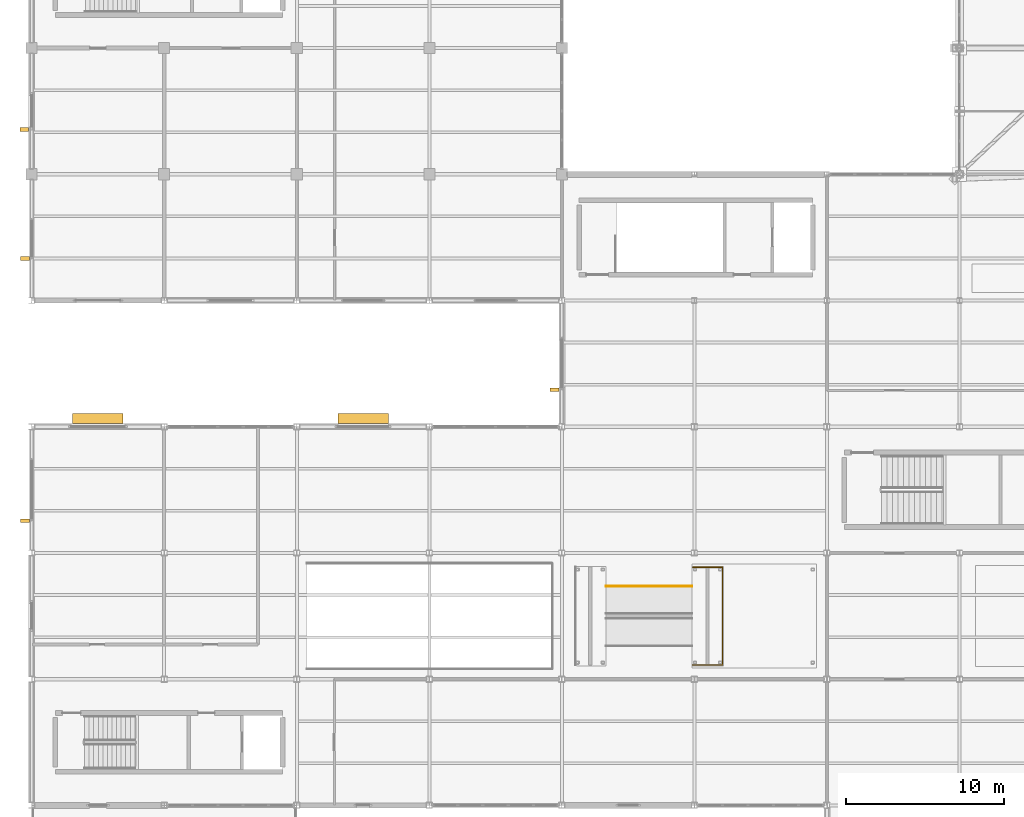
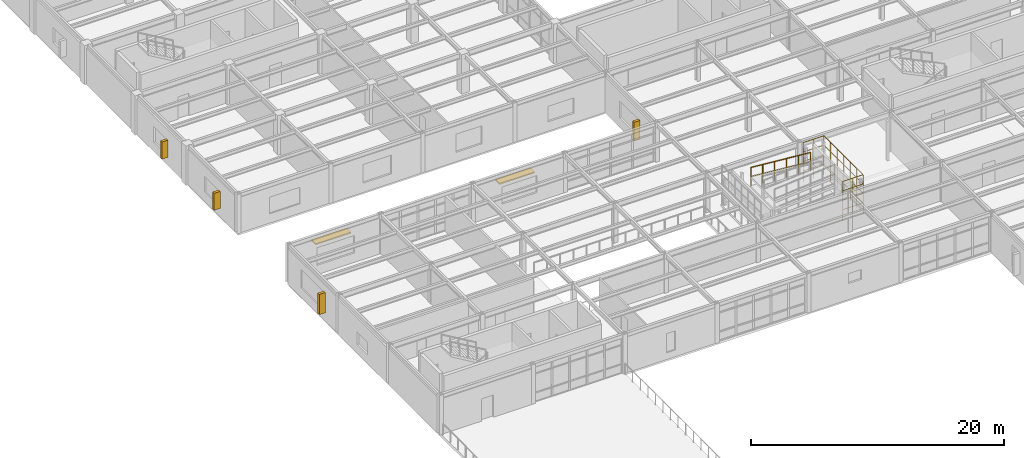
# One storey, part 130 of 138: 6 railings, 6 shading devices.
"""IFC4 building model written with IfcOpenShell, lengths in metres."""

from ifc_helpers import new_model, si_unit, direction, frame, origin, origin_2d, place, context, subcontext, project, spatial, rectangle, circle, extrude, material, type_object, element, save


model = new_model("IFC4")

# Units and contexts
model_context = context("Model", 3, precision=1e-05, world=origin(), true_north=direction((0.0, 1.0)))
body_context = subcontext(model_context, "Body", "Model", "MODEL_VIEW")
ifc_project = project(units=[si_unit("LENGTHUNIT", "METRE"), si_unit("AREAUNIT", "SQUARE_METRE"), si_unit("VOLUMEUNIT", "CUBIC_METRE"), si_unit("PLANEANGLEUNIT", "RADIAN"), si_unit("MASSUNIT", "GRAM", prefix="KILO")], contexts=[model_context])

# Site, building, storey
site_placement = place(None, origin())
site = spatial("IfcSite", under=ifc_project, at=site_placement, CompositionType="ELEMENT")
building_placement = place(site_placement, origin())
building = spatial("IfcBuilding", under=site, at=building_placement, Name="Kranzveld Transit Interchange", CompositionType="ELEMENT")
storey_placement = place(building_placement, frame((0.0, 0.0, 5.43994140625)))
storey = spatial("IfcBuildingStorey", under=building, at=storey_placement, Name="L01", CompositionType="ELEMENT", Elevation=5.43994140625)

# Shading devices
ifc_material_1 = material(Name="Bronze-anodised thermally broken aluminium", Category="aluminium")
shading_device_type_1 = type_object("IfcShadingDeviceType", Name="East-West Deep Clinker Solar Fin", PredefinedType="USERDEFINED", material=ifc_material_1)
shading_device_1_placement = place(storey_placement, frame((-0.425048828125, 34.0400390625, 0.8251953125), z_axis=(0.0, 0.0, 1.0), x_axis=(0.0, 1.0, 0.0)))
element("IfcShadingDevice", 1, at=shading_device_1_placement, inside=storey, type_object=shading_device_type_1, Name="L01 Vertical Solar Fin 01/E", ObjectType="SOLAR FIN", PredefinedType="USERDEFINED", context=body_context, shape_type="SweptSolid", body=[
    extrude(rectangle(XDim=0.239990234375, YDim=0.550048828125, at=origin_2d()), origin(), (0.0, 0.0, 1.0), 1.949951171875),
])
shading_device_2_placement = place(storey_placement, frame((33.135009765625, 42.340087890625, 0.8251953125), z_axis=(0.0, 0.0, 1.0), x_axis=(0.0, 1.0, 0.0)))
element("IfcShadingDevice", 2, at=shading_device_2_placement, inside=storey, type_object=shading_device_type_1, Name="L01 Vertical Solar Fin 05/F", ObjectType="SOLAR FIN", PredefinedType="USERDEFINED", context=body_context, shape_type="SweptSolid", body=[
    extrude(rectangle(XDim=0.239990234375, YDim=0.550048828125, at=origin_2d()), origin(), (0.0, 0.0, 1.0), 1.800048828125),
])
for number, where, z_axis, x_axis, name in (
    (3, (-0.425048828125, 50.65869140625, 0.8251953125), (0.0, 0.0, 1.0), (0.0, 1.0, 0.0), "L01 Vertical Solar Fin 01/G"),
    (4, (-0.465087890625, 58.840087890625, 0.8251953125), (0.0, 0.0, 1.0), (0.0, 1.0, 0.0), "L01 Vertical Solar Fin 01/H"),
):
    element("IfcShadingDevice", number, at=place(storey_placement, frame(where, z_axis=z_axis, x_axis=x_axis)), inside=storey, type_object=shading_device_type_1, Name=name, ObjectType="SOLAR FIN", PredefinedType="USERDEFINED", context=body_context, shape_type="SweptSolid", body=[
        extrude(rectangle(XDim=0.239990234375, YDim=0.550048828125, at=origin_2d()), origin(), (0.0, 0.0, 1.0), 1.64990234375),
    ])
ifc_material_2 = material(Name="Bronze-anodised thermally broken aluminium", Category="aluminium")
shading_device_type_2 = type_object("IfcShadingDeviceType", Name="North Overhang Solar Louvre Brise-Soleil", PredefinedType="JALOUSIE", material=ifc_material_2)
for number, where, z_axis, x_axis, name in (
    (5, (4.199951171875, 40.514892578125, 2.60009765625), (0.0, 0.0, 1.0), (1.0, 0.0, 0.0), "L01 North Solar Louvre 01/F"),
    (6, (21.0, 40.514892578125, 2.550048828125), (0.0, 0.0, 1.0), (1.0, 0.0, 0.0), "L01 North Solar Louvre 03/F"),
):
    element("IfcShadingDevice", number, at=place(storey_placement, frame(where, z_axis=z_axis, x_axis=x_axis)), inside=storey, type_object=shading_device_type_2, Name=name, PredefinedType="JALOUSIE", context=body_context, shape_type="SweptSolid", body=[
        extrude(rectangle(XDim=3.199951171875, YDim=0.64990234375, at=origin_2d()), origin(), (0.0, 0.0, 1.0), 0.1201171875),
    ])

# Railings
ifc_material_3 = material(Name="Steel S355JR", Category="steel")
railing_type_1 = type_object("IfcRailingType", Name="Stair & Ramp Handrail Steel 900", PredefinedType="HANDRAIL", material=ifc_material_3)
for number, where, name in (
    (7, (41.840087890625, 29.889892578125, 2.2666015625), "RMP-2 Flight 6 Rail H"),
    (8, (41.840087890625, 29.889892578125, 3.17333984375), "RMP-2 Flight 8 Rail H"),
):
    element("IfcRailing", number, at=place(storey_placement, frame(where)), inside=storey, type_object=railing_type_1, Name=name, PredefinedType="HANDRAIL", context=body_context, shape_type="SweptSolid", body=[
        extrude(circle(Radius=0.02392578125, at=origin_2d()), frame((0.0, 0.0, 0.8759765625), z_axis=(-0.996545449809, 0.0, 0.083049181003), x_axis=(0.0, -1.0, 0.0)), (0.0, 0.0, 1.0), 5.458984375),
        extrude(circle(Radius=0.02099609375, at=origin_2d()), origin(), (0.0, 0.0, 1.0), 0.849853515625),
        extrude(circle(Radius=0.02099609375, at=origin_2d()), frame((-1.088134765625, 0.0, 0.090576171875)), (0.0, 0.0, 1.0), 0.849853515625),
        extrude(circle(Radius=0.02099609375, at=origin_2d()), frame((-2.176025390625, 0.0, 0.181396484375)), (0.0, 0.0, 1.0), 0.849853515625),
        extrude(circle(Radius=0.02099609375, at=origin_2d()), frame((-3.26416015625, 0.0, 0.27197265625)), (0.0, 0.0, 1.0), 0.849853515625),
        extrude(circle(Radius=0.02099609375, at=origin_2d()), frame((-4.35205078125, 0.0, 0.36279296875)), (0.0, 0.0, 1.0), 0.849853515625),
        extrude(circle(Radius=0.02099609375, at=origin_2d()), frame((-5.440185546875, 0.0, 0.453369140625)), (0.0, 0.0, 1.0), 0.849853515625),
    ])
ifc_material_4 = material(Name="Steel S355JR", Category="steel")
railing_type_2 = type_object("IfcRailingType", Name="Stair Well Guardrail Steel 1100", PredefinedType="GUARDRAIL", material=ifc_material_4)
railing_1_placement = place(storey_placement, frame((41.89990234375, 24.89990234375, 0.453369140625)))
element("IfcRailing", 9, at=railing_1_placement, inside=storey, type_object=railing_type_2, Name="RMP-2 Landing 1 Guard", PredefinedType="GUARDRAIL", context=body_context, shape_type="SweptSolid", body=[
    extrude(circle(Radius=0.02392578125, at=origin_2d()), frame((0.0, 0.0, 1.076171875), z_axis=(1.0, 0.0, 0.0), x_axis=(0.0, 1.0, 0.0)), (0.0, 0.0, 1.0), 1.85205078125),
    extrude(circle(Radius=0.02392578125, at=origin_2d()), frame((1.880126953125, 0.028076171875, 1.076171875), z_axis=(0.0, 1.0, 0.0), x_axis=(-1.0, 0.0, 0.0)), (0.0, 0.0, 1.0), 6.14404296875),
    extrude(circle(Radius=0.02392578125, at=origin_2d()), frame((1.85205078125, 6.2001953125, 1.076171875), z_axis=(-1.0, 0.0, 0.0), x_axis=(0.0, -1.0, 0.0)), (0.0, 0.0, 1.0), 1.85205078125),
    extrude(circle(Radius=0.02099609375, at=origin_2d()), origin(), (0.0, 0.0, 1.0), 1.050048828125),
    extrude(circle(Radius=0.02099609375, at=origin_2d()), frame((0.93994140625, 0.0, 0.0)), (0.0, 0.0, 1.0), 1.050048828125),
    extrude(circle(Radius=0.02099609375, at=origin_2d()), frame((1.880126953125, 0.0, 0.0)), (0.0, 0.0, 1.0), 1.050048828125),
    extrude(circle(Radius=0.02099609375, at=origin_2d()), frame((1.880126953125, 1.033447265625, 0.0)), (0.0, 0.0, 1.0), 1.050048828125),
    extrude(circle(Radius=0.02099609375, at=origin_2d()), frame((1.880126953125, 2.066650390625, 0.0)), (0.0, 0.0, 1.0), 1.050048828125),
    extrude(circle(Radius=0.02099609375, at=origin_2d()), frame((1.880126953125, 3.10009765625, 0.0)), (0.0, 0.0, 1.0), 1.050048828125),
    extrude(circle(Radius=0.02099609375, at=origin_2d()), frame((1.880126953125, 4.133544921875, 0.0)), (0.0, 0.0, 1.0), 1.050048828125),
    extrude(circle(Radius=0.02099609375, at=origin_2d()), frame((1.880126953125, 5.166748046875, 0.0)), (0.0, 0.0, 1.0), 1.050048828125),
    extrude(circle(Radius=0.02099609375, at=origin_2d()), frame((1.880126953125, 6.2001953125, 0.0)), (0.0, 0.0, 1.0), 1.050048828125),
    extrude(circle(Radius=0.02099609375, at=origin_2d()), frame((0.93994140625, 6.2001953125, 0.0)), (0.0, 0.0, 1.0), 1.050048828125),
    extrude(circle(Radius=0.02099609375, at=origin_2d()), frame((0.0, 6.2001953125, 0.0)), (0.0, 0.0, 1.0), 1.050048828125),
])
railing_2_placement = place(storey_placement, frame((41.89990234375, 24.89990234375, 1.360107421875)))
element("IfcRailing", 10, at=railing_2_placement, inside=storey, type_object=railing_type_2, Name="RMP-2 Landing 3 Guard", PredefinedType="GUARDRAIL", context=body_context, shape_type="SweptSolid", body=[
    extrude(circle(Radius=0.02392578125, at=origin_2d()), frame((0.0, 0.0, 1.076171875), z_axis=(1.0, 0.0, 0.0), x_axis=(0.0, 1.0, 0.0)), (0.0, 0.0, 1.0), 1.85205078125),
    extrude(circle(Radius=0.02392578125, at=origin_2d()), frame((1.880126953125, 0.028076171875, 1.076171875), z_axis=(0.0, 1.0, 0.0), x_axis=(-1.0, 0.0, 0.0)), (0.0, 0.0, 1.0), 6.14404296875),
    extrude(circle(Radius=0.02392578125, at=origin_2d()), frame((1.85205078125, 6.2001953125, 1.076171875), z_axis=(-1.0, 0.0, 0.0), x_axis=(0.0, -1.0, 0.0)), (0.0, 0.0, 1.0), 1.85205078125),
    extrude(circle(Radius=0.02099609375, at=origin_2d()), origin(), (0.0, 0.0, 1.0), 1.050048828125),
    extrude(circle(Radius=0.02099609375, at=origin_2d()), frame((0.93994140625, 0.0, 0.0)), (0.0, 0.0, 1.0), 1.050048828125),
    extrude(circle(Radius=0.02099609375, at=origin_2d()), frame((1.880126953125, 0.0, 0.0)), (0.0, 0.0, 1.0), 1.050048828125),
    extrude(circle(Radius=0.02099609375, at=origin_2d()), frame((1.880126953125, 1.033447265625, 0.0)), (0.0, 0.0, 1.0), 1.050048828125),
    extrude(circle(Radius=0.02099609375, at=origin_2d()), frame((1.880126953125, 2.066650390625, 0.0)), (0.0, 0.0, 1.0), 1.050048828125),
    extrude(circle(Radius=0.02099609375, at=origin_2d()), frame((1.880126953125, 3.10009765625, 0.0)), (0.0, 0.0, 1.0), 1.050048828125),
    extrude(circle(Radius=0.02099609375, at=origin_2d()), frame((1.880126953125, 4.133544921875, 0.0)), (0.0, 0.0, 1.0), 1.050048828125),
    extrude(circle(Radius=0.02099609375, at=origin_2d()), frame((1.880126953125, 5.166748046875, 0.0)), (0.0, 0.0, 1.0), 1.050048828125),
    extrude(circle(Radius=0.02099609375, at=origin_2d()), frame((1.880126953125, 6.2001953125, 0.0)), (0.0, 0.0, 1.0), 1.050048828125),
    extrude(circle(Radius=0.02099609375, at=origin_2d()), frame((0.93994140625, 6.2001953125, 0.0)), (0.0, 0.0, 1.0), 1.050048828125),
    extrude(circle(Radius=0.02099609375, at=origin_2d()), frame((0.0, 6.2001953125, 0.0)), (0.0, 0.0, 1.0), 1.050048828125),
])
railing_3_placement = place(storey_placement, frame((41.89990234375, 24.89990234375, 2.2666015625)))
element("IfcRailing", 11, at=railing_3_placement, inside=storey, type_object=railing_type_2, Name="RMP-2 Landing 5 Guard", PredefinedType="GUARDRAIL", context=body_context, shape_type="SweptSolid", body=[
    extrude(circle(Radius=0.02392578125, at=origin_2d()), frame((0.0, 0.0, 1.076171875), z_axis=(1.0, 0.0, 0.0), x_axis=(0.0, 1.0, 0.0)), (0.0, 0.0, 1.0), 1.85205078125),
    extrude(circle(Radius=0.02392578125, at=origin_2d()), frame((1.880126953125, 0.028076171875, 1.076171875), z_axis=(0.0, 1.0, 0.0), x_axis=(-1.0, 0.0, 0.0)), (0.0, 0.0, 1.0), 6.14404296875),
    extrude(circle(Radius=0.02392578125, at=origin_2d()), frame((1.85205078125, 6.2001953125, 1.076171875), z_axis=(-1.0, 0.0, 0.0), x_axis=(0.0, -1.0, 0.0)), (0.0, 0.0, 1.0), 1.85205078125),
    extrude(circle(Radius=0.02099609375, at=origin_2d()), origin(), (0.0, 0.0, 1.0), 1.050048828125),
    extrude(circle(Radius=0.02099609375, at=origin_2d()), frame((0.93994140625, 0.0, 0.0)), (0.0, 0.0, 1.0), 1.050048828125),
    extrude(circle(Radius=0.02099609375, at=origin_2d()), frame((1.880126953125, 0.0, 0.0)), (0.0, 0.0, 1.0), 1.050048828125),
    extrude(circle(Radius=0.02099609375, at=origin_2d()), frame((1.880126953125, 1.033447265625, 0.0)), (0.0, 0.0, 1.0), 1.050048828125),
    extrude(circle(Radius=0.02099609375, at=origin_2d()), frame((1.880126953125, 2.066650390625, 0.0)), (0.0, 0.0, 1.0), 1.050048828125),
    extrude(circle(Radius=0.02099609375, at=origin_2d()), frame((1.880126953125, 3.10009765625, 0.0)), (0.0, 0.0, 1.0), 1.050048828125),
    extrude(circle(Radius=0.02099609375, at=origin_2d()), frame((1.880126953125, 4.133544921875, 0.0)), (0.0, 0.0, 1.0), 1.050048828125),
    extrude(circle(Radius=0.02099609375, at=origin_2d()), frame((1.880126953125, 5.166748046875, 0.0)), (0.0, 0.0, 1.0), 1.050048828125),
    extrude(circle(Radius=0.02099609375, at=origin_2d()), frame((1.880126953125, 6.2001953125, 0.0)), (0.0, 0.0, 1.0), 1.050048828125),
    extrude(circle(Radius=0.02099609375, at=origin_2d()), frame((0.93994140625, 6.2001953125, 0.0)), (0.0, 0.0, 1.0), 1.050048828125),
    extrude(circle(Radius=0.02099609375, at=origin_2d()), frame((0.0, 6.2001953125, 0.0)), (0.0, 0.0, 1.0), 1.050048828125),
])
railing_4_placement = place(storey_placement, frame((41.89990234375, 24.89990234375, 3.17333984375)))
element("IfcRailing", 12, at=railing_4_placement, inside=storey, type_object=railing_type_2, Name="RMP-2 Landing 7 Guard", PredefinedType="GUARDRAIL", context=body_context, shape_type="SweptSolid", body=[
    extrude(circle(Radius=0.02392578125, at=origin_2d()), frame((0.0, 0.0, 1.076171875), z_axis=(1.0, 0.0, 0.0), x_axis=(0.0, 1.0, 0.0)), (0.0, 0.0, 1.0), 1.85205078125),
    extrude(circle(Radius=0.02392578125, at=origin_2d()), frame((1.880126953125, 0.028076171875, 1.076171875), z_axis=(0.0, 1.0, 0.0), x_axis=(-1.0, 0.0, 0.0)), (0.0, 0.0, 1.0), 6.14404296875),
    extrude(circle(Radius=0.02392578125, at=origin_2d()), frame((1.85205078125, 6.2001953125, 1.076171875), z_axis=(-1.0, 0.0, 0.0), x_axis=(0.0, -1.0, 0.0)), (0.0, 0.0, 1.0), 1.85205078125),
    extrude(circle(Radius=0.02099609375, at=origin_2d()), origin(), (0.0, 0.0, 1.0), 1.050048828125),
    extrude(circle(Radius=0.02099609375, at=origin_2d()), frame((0.93994140625, 0.0, 0.0)), (0.0, 0.0, 1.0), 1.050048828125),
    extrude(circle(Radius=0.02099609375, at=origin_2d()), frame((1.880126953125, 0.0, 0.0)), (0.0, 0.0, 1.0), 1.050048828125),
    extrude(circle(Radius=0.02099609375, at=origin_2d()), frame((1.880126953125, 1.033447265625, 0.0)), (0.0, 0.0, 1.0), 1.050048828125),
    extrude(circle(Radius=0.02099609375, at=origin_2d()), frame((1.880126953125, 2.066650390625, 0.0)), (0.0, 0.0, 1.0), 1.050048828125),
    extrude(circle(Radius=0.02099609375, at=origin_2d()), frame((1.880126953125, 3.10009765625, 0.0)), (0.0, 0.0, 1.0), 1.050048828125),
    extrude(circle(Radius=0.02099609375, at=origin_2d()), frame((1.880126953125, 4.133544921875, 0.0)), (0.0, 0.0, 1.0), 1.050048828125),
    extrude(circle(Radius=0.02099609375, at=origin_2d()), frame((1.880126953125, 5.166748046875, 0.0)), (0.0, 0.0, 1.0), 1.050048828125),
    extrude(circle(Radius=0.02099609375, at=origin_2d()), frame((1.880126953125, 6.2001953125, 0.0)), (0.0, 0.0, 1.0), 1.050048828125),
    extrude(circle(Radius=0.02099609375, at=origin_2d()), frame((0.93994140625, 6.2001953125, 0.0)), (0.0, 0.0, 1.0), 1.050048828125),
    extrude(circle(Radius=0.02099609375, at=origin_2d()), frame((0.0, 6.2001953125, 0.0)), (0.0, 0.0, 1.0), 1.050048828125),
])

save(model, "model.ifc")
